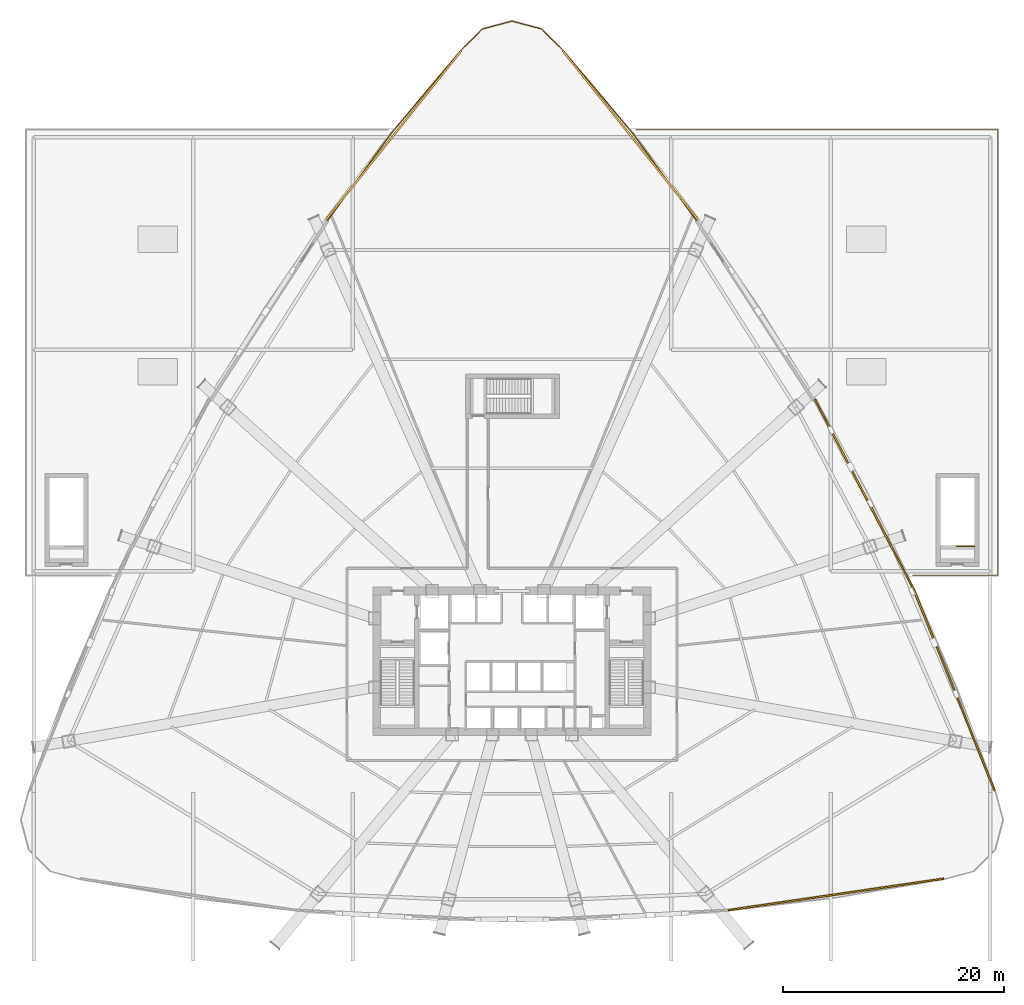
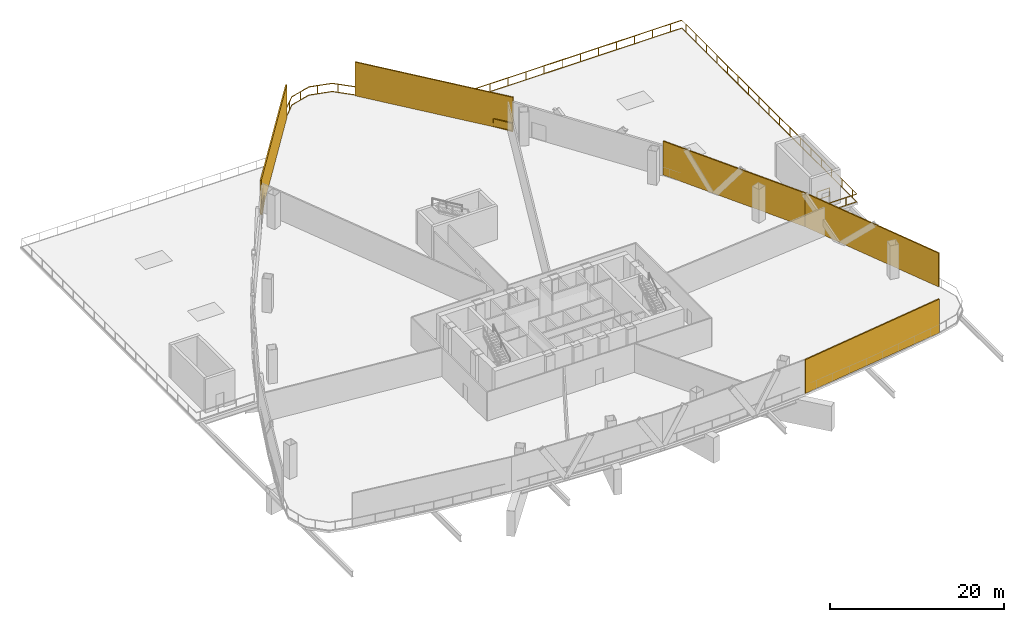
# One storey, part 18 of 18: 5 shading devices, 3 railings.
"""IFC4 building model written with IfcOpenShell, lengths in metres."""

from ifc_helpers import new_model, si_unit, direction, frame, origin, origin_2d, place, context, subcontext, project, spatial, rectangle, extrude, source, transform, mapped, material, layer, layer_set, type_object, element, save


model = new_model("IFC4")

# Units and contexts
model_context = context("Model", 3, precision=1e-05, world=origin(), true_north=direction((0.0, 1.0)))
body_context = subcontext(model_context, "Body", "Model", "MODEL_VIEW")
ifc_project = project(units=[si_unit("LENGTHUNIT", "METRE"), si_unit("AREAUNIT", "SQUARE_METRE"), si_unit("VOLUMEUNIT", "CUBIC_METRE"), si_unit("PLANEANGLEUNIT", "RADIAN"), si_unit("MASSUNIT", "GRAM", prefix="KILO"), si_unit("THERMODYNAMICTEMPERATUREUNIT", "KELVIN"), si_unit("POWERUNIT", "WATT")], contexts=[model_context])

# Site, building, storey
site_placement = place(None, origin())
site = spatial("IfcSite", under=ifc_project, at=site_placement, CompositionType="ELEMENT")
building_placement = place(site_placement, origin())
building = spatial("IfcBuilding", under=site, at=building_placement, Name="Yunzhuo Pagoda Commons", CompositionType="ELEMENT")
storey_placement = place(building_placement, frame((0.0, 0.0, 25.39990234375)))
storey = spatial("IfcBuildingStorey", under=building, at=storey_placement, Name="L06", CompositionType="ELEMENT", Elevation=25.39990234375)

# Railings
ifc_material = material(Name="Anodized aluminium 6063-T6", Category="aluminium")
railing_type_1 = type_object("IfcRailingType", Name="GR-PS4 Podium Well Guardrail 1165", PredefinedType="GUARDRAIL", material=ifc_material)
railing_1_placement = place(storey_placement, frame((89.800048828125, 44.25, 0.0)))
element("IfcRailing", 1, at=railing_1_placement, inside=storey, type_object=railing_type_1, Name="L06 PS4 top well guard 1", PredefinedType="GUARDRAIL", context=body_context, shape_type="SweptSolid", body=[
    extrude(rectangle(XDim=0.048095703125, YDim=0.048095703125, at=origin_2d()), frame((0.0, 0.0, 1.1259765625), z_axis=(-1.0, 0.0, 0.0), x_axis=(0.0, -1.0, 0.0)), (0.0, 0.0, 1.0), 1.650146484375),
    extrude(rectangle(XDim=0.048095703125, YDim=0.048095703125, at=origin_2d()), frame((0.0, 0.0, 0.02392578125), z_axis=(-1.0, 0.0, 0.0), x_axis=(0.0, -1.0, 0.0)), (0.0, 0.0, 1.0), 1.650146484375),
    extrude(rectangle(XDim=0.0419921875, YDim=0.0419921875, at=origin_2d()), origin(), (0.0, 0.0, 1.0), 1.101806640625),
    extrude(rectangle(XDim=0.0419921875, YDim=0.0419921875, at=origin_2d()), frame((-1.650146484375, 0.0, 0.0)), (0.0, 0.0, 1.0), 1.101806640625),
])
railing_type_2 = type_object("IfcRailingType", Name="RL-BAL1 Exterior Terrace & Balcony Balustrade 1150", PredefinedType="BALUSTRADE", material=ifc_material)
railing_2_placement = place(storey_placement, frame((59.19189453125, 81.8798828125, 0.0)))
element("IfcRailing", 2, at=railing_2_placement, inside=storey, type_object=railing_type_2, Name="L06 podium roof garden 1 balustrade 1", PredefinedType="BALUSTRADE", context=body_context, shape_type="SweptSolid", body=[
    extrude(rectangle(XDim=0.048095703125, YDim=0.048095703125, at=origin_2d()), frame((0.0, 0.0, 1.1259765625), z_axis=(1.0, 0.0, 0.0), x_axis=(0.0, 1.0, 0.0)), (0.0, 0.0, 1.0), 32.68798828125),
    extrude(rectangle(XDim=0.048095703125, YDim=0.048095703125, at=origin_2d()), frame((0.0, 0.0, 0.02392578125), z_axis=(1.0, 0.0, 0.0), x_axis=(0.0, 1.0, 0.0)), (0.0, 0.0, 1.0), 32.68798828125),
    extrude(rectangle(XDim=0.048095703125, YDim=0.048095703125, at=origin_2d()), frame((32.68798828125, 0.0, 1.1259765625), z_axis=(0.0, -1.0, 0.0), x_axis=(1.0, 0.0, 0.0)), (0.0, 0.0, 1.0), 40.259765625),
    extrude(rectangle(XDim=0.048095703125, YDim=0.048095703125, at=origin_2d()), frame((32.68798828125, 0.0, 0.02392578125), z_axis=(0.0, -1.0, 0.0), x_axis=(1.0, 0.0, 0.0)), (0.0, 0.0, 1.0), 40.259765625),
    extrude(rectangle(XDim=0.048095703125, YDim=0.048095703125, at=origin_2d()), frame((32.68798828125, -40.259765625, 1.1259765625), z_axis=(-1.0, 0.0, 0.0), x_axis=(0.0, -1.0, 0.0)), (0.0, 0.0, 1.0), 7.6875),
    extrude(rectangle(XDim=0.048095703125, YDim=0.048095703125, at=origin_2d()), frame((32.68798828125, -40.259765625, 0.02392578125), z_axis=(-1.0, 0.0, 0.0), x_axis=(0.0, -1.0, 0.0)), (0.0, 0.0, 1.0), 7.6875),
    extrude(rectangle(XDim=0.0419921875, YDim=0.0419921875, at=origin_2d()), origin(), (0.0, 0.0, 1.0), 1.101806640625),
    extrude(rectangle(XDim=0.0419921875, YDim=0.0419921875, at=origin_2d()), frame((2.39990234375, 0.0, 0.0)), (0.0, 0.0, 1.0), 1.101806640625),
    extrude(rectangle(XDim=0.0419921875, YDim=0.0419921875, at=origin_2d()), frame((4.800048828125, 0.0, 0.0)), (0.0, 0.0, 1.0), 1.101806640625),
    extrude(rectangle(XDim=0.0419921875, YDim=0.0419921875, at=origin_2d()), frame((7.199951171875, 0.0, 0.0)), (0.0, 0.0, 1.0), 1.101806640625),
    extrude(rectangle(XDim=0.0419921875, YDim=0.0419921875, at=origin_2d()), frame((9.60009765625, 0.0, 0.0)), (0.0, 0.0, 1.0), 1.101806640625),
    extrude(rectangle(XDim=0.0419921875, YDim=0.0419921875, at=origin_2d()), frame((12.0, 0.0, 0.0)), (0.0, 0.0, 1.0), 1.101806640625),
    extrude(rectangle(XDim=0.0419921875, YDim=0.0419921875, at=origin_2d()), frame((14.39990234375, 0.0, 0.0)), (0.0, 0.0, 1.0), 1.101806640625),
    extrude(rectangle(XDim=0.0419921875, YDim=0.0419921875, at=origin_2d()), frame((16.800048828125, 0.0, 0.0)), (0.0, 0.0, 1.0), 1.101806640625),
    extrude(rectangle(XDim=0.0419921875, YDim=0.0419921875, at=origin_2d()), frame((19.199951171875, 0.0, 0.0)), (0.0, 0.0, 1.0), 1.101806640625),
    extrude(rectangle(XDim=0.0419921875, YDim=0.0419921875, at=origin_2d()), frame((21.60009765625, 0.0, 0.0)), (0.0, 0.0, 1.0), 1.101806640625),
    extrude(rectangle(XDim=0.0419921875, YDim=0.0419921875, at=origin_2d()), frame((24.0, 0.0, 0.0)), (0.0, 0.0, 1.0), 1.101806640625),
    extrude(rectangle(XDim=0.0419921875, YDim=0.0419921875, at=origin_2d()), frame((26.39990234375, 0.0, 0.0)), (0.0, 0.0, 1.0), 1.101806640625),
    extrude(rectangle(XDim=0.0419921875, YDim=0.0419921875, at=origin_2d()), frame((28.800048828125, 0.0, 0.0)), (0.0, 0.0, 1.0), 1.101806640625),
    extrude(rectangle(XDim=0.0419921875, YDim=0.0419921875, at=origin_2d()), frame((31.199951171875, 0.0, 0.0)), (0.0, 0.0, 1.0), 1.101806640625),
    extrude(rectangle(XDim=0.0419921875, YDim=0.0419921875, at=origin_2d()), frame((32.68798828125, -0.912109375, 0.0)), (0.0, 0.0, 1.0), 1.101806640625),
    extrude(rectangle(XDim=0.0419921875, YDim=0.0419921875, at=origin_2d()), frame((32.68798828125, -3.31201171875, 0.0)), (0.0, 0.0, 1.0), 1.101806640625),
    extrude(rectangle(XDim=0.0419921875, YDim=0.0419921875, at=origin_2d()), frame((32.68798828125, -5.7119140625, 0.0)), (0.0, 0.0, 1.0), 1.101806640625),
    extrude(rectangle(XDim=0.0419921875, YDim=0.0419921875, at=origin_2d()), frame((32.68798828125, -8.112060546875, 0.0)), (0.0, 0.0, 1.0), 1.101806640625),
    extrude(rectangle(XDim=0.0419921875, YDim=0.0419921875, at=origin_2d()), frame((32.68798828125, -10.511962890625, 0.0)), (0.0, 0.0, 1.0), 1.101806640625),
    extrude(rectangle(XDim=0.0419921875, YDim=0.0419921875, at=origin_2d()), frame((32.68798828125, -12.912109375, 0.0)), (0.0, 0.0, 1.0), 1.101806640625),
    extrude(rectangle(XDim=0.0419921875, YDim=0.0419921875, at=origin_2d()), frame((32.68798828125, -15.31201171875, 0.0)), (0.0, 0.0, 1.0), 1.101806640625),
    extrude(rectangle(XDim=0.0419921875, YDim=0.0419921875, at=origin_2d()), frame((32.68798828125, -17.7119140625, 0.0)), (0.0, 0.0, 1.0), 1.101806640625),
    extrude(rectangle(XDim=0.0419921875, YDim=0.0419921875, at=origin_2d()), frame((32.68798828125, -20.112060546875, 0.0)), (0.0, 0.0, 1.0), 1.101806640625),
    extrude(rectangle(XDim=0.0419921875, YDim=0.0419921875, at=origin_2d()), frame((32.68798828125, -22.511962890625, 0.0)), (0.0, 0.0, 1.0), 1.101806640625),
    extrude(rectangle(XDim=0.0419921875, YDim=0.0419921875, at=origin_2d()), frame((32.68798828125, -24.912109375, 0.0)), (0.0, 0.0, 1.0), 1.101806640625),
    extrude(rectangle(XDim=0.0419921875, YDim=0.0419921875, at=origin_2d()), frame((32.68798828125, -27.31201171875, 0.0)), (0.0, 0.0, 1.0), 1.101806640625),
    extrude(rectangle(XDim=0.0419921875, YDim=0.0419921875, at=origin_2d()), frame((32.68798828125, -29.7119140625, 0.0)), (0.0, 0.0, 1.0), 1.101806640625),
    extrude(rectangle(XDim=0.0419921875, YDim=0.0419921875, at=origin_2d()), frame((32.68798828125, -32.112060546875, 0.0)), (0.0, 0.0, 1.0), 1.101806640625),
    extrude(rectangle(XDim=0.0419921875, YDim=0.0419921875, at=origin_2d()), frame((32.68798828125, -34.511962890625, 0.0)), (0.0, 0.0, 1.0), 1.101806640625),
    extrude(rectangle(XDim=0.0419921875, YDim=0.0419921875, at=origin_2d()), frame((32.68798828125, -36.912109375, 0.0)), (0.0, 0.0, 1.0), 1.101806640625),
    extrude(rectangle(XDim=0.0419921875, YDim=0.0419921875, at=origin_2d()), frame((32.68798828125, -39.31201171875, 0.0)), (0.0, 0.0, 1.0), 1.101806640625),
    extrude(rectangle(XDim=0.0419921875, YDim=0.0419921875, at=origin_2d()), frame((31.23583984375, -40.259765625, 0.0)), (0.0, 0.0, 1.0), 1.101806640625),
    extrude(rectangle(XDim=0.0419921875, YDim=0.0419921875, at=origin_2d()), frame((28.835693359375, -40.259765625, 0.0)), (0.0, 0.0, 1.0), 1.101806640625),
    extrude(rectangle(XDim=0.0419921875, YDim=0.0419921875, at=origin_2d()), frame((26.435791015625, -40.259765625, 0.0)), (0.0, 0.0, 1.0), 1.101806640625),
    extrude(rectangle(XDim=0.0419921875, YDim=0.0419921875, at=origin_2d()), frame((25.00048828125, -40.259765625, 0.0)), (0.0, 0.0, 1.0), 1.101806640625),
])
railing_type_3 = type_object("IfcRailingType", Name="RL-PRT1 Wind Portal & Refuge Guardrail 1200", PredefinedType="GUARDRAIL", material=ifc_material)
railing_3_placement = place(storey_placement, frame((64.651611328125, 73.672607421875, 0.0)))
element("IfcRailing", 3, at=railing_3_placement, inside=storey, type_object=railing_type_3, Name="L06 refuge north apex guardrail", PredefinedType="GUARDRAIL", context=body_context, shape_type="SweptSolid", body=[
    extrude(rectangle(XDim=0.048095703125, YDim=0.048095703125, at=origin_2d()), frame((0.0, 0.0, 1.17578125), z_axis=(-0.58872090766, 0.8083363736, 0.0), x_axis=(-0.8083363736, -0.58872090766, 0.0)), (0.0, 0.0, 1.0), 9.671630859375),
    extrude(rectangle(XDim=0.048095703125, YDim=0.048095703125, at=origin_2d()), frame((0.0, 0.0, 0.02392578125), z_axis=(-0.58872090766, 0.8083363736, 0.0), x_axis=(-0.8083363736, -0.58872090766, 0.0)), (0.0, 0.0, 1.0), 9.671630859375),
    extrude(rectangle(XDim=0.048095703125, YDim=0.048095703125, at=origin_2d()), frame((-5.69384765625, 7.81787109375, 1.17578125), z_axis=(-0.642298879891, 0.76645427058, 0.0), x_axis=(-0.76645427058, -0.642298879891, 0.0)), (0.0, 0.0, 1.0), 9.8125),
    extrude(rectangle(XDim=0.048095703125, YDim=0.048095703125, at=origin_2d()), frame((-5.69384765625, 7.81787109375, 0.02392578125), z_axis=(-0.642298879891, 0.76645427058, 0.0), x_axis=(-0.76645427058, -0.642298879891, 0.0)), (0.0, 0.0, 1.0), 9.8125),
    extrude(rectangle(XDim=0.048095703125, YDim=0.048095703125, at=origin_2d()), frame((-11.996337890625, 15.338623046875, 1.17578125), z_axis=(-0.709080029698, 0.705128010707, 0.0), x_axis=(-0.705128010707, -0.709080029698, 0.0)), (0.0, 0.0, 1.0), 2.780029296875),
    extrude(rectangle(XDim=0.048095703125, YDim=0.048095703125, at=origin_2d()), frame((-11.996337890625, 15.338623046875, 0.02392578125), z_axis=(-0.709080029698, 0.705128010707, 0.0), x_axis=(-0.705128010707, -0.709080029698, 0.0)), (0.0, 0.0, 1.0), 2.780029296875),
    extrude(rectangle(XDim=0.048095703125, YDim=0.048095703125, at=origin_2d()), frame((-13.967529296875, 17.298828125, 1.17578125), z_axis=(-0.966119618387, 0.258094717046, 0.0), x_axis=(-0.258094717046, -0.966119618387, 0.0)), (0.0, 0.0, 1.0), 2.7783203125),
    extrude(rectangle(XDim=0.048095703125, YDim=0.048095703125, at=origin_2d()), frame((-13.967529296875, 17.298828125, 0.02392578125), z_axis=(-0.966119618387, 0.258094717046, 0.0), x_axis=(-0.258094717046, -0.966119618387, 0.0)), (0.0, 0.0, 1.0), 2.7783203125),
    extrude(rectangle(XDim=0.048095703125, YDim=0.048095703125, at=origin_2d()), frame((-16.651611328125, 18.015869140625, 1.17578125), z_axis=(-0.966119618387, -0.258094717046, 0.0), x_axis=(0.258094717046, -0.966119618387, 0.0)), (0.0, 0.0, 1.0), 2.7783203125),
    extrude(rectangle(XDim=0.048095703125, YDim=0.048095703125, at=origin_2d()), frame((-16.651611328125, 18.015869140625, 0.02392578125), z_axis=(-0.966119618387, -0.258094717046, 0.0), x_axis=(0.258094717046, -0.966119618387, 0.0)), (0.0, 0.0, 1.0), 2.7783203125),
    extrude(rectangle(XDim=0.048095703125, YDim=0.048095703125, at=origin_2d()), frame((-19.335693359375, 17.298828125, 1.17578125), z_axis=(-0.709080029698, -0.705128010707, 0.0), x_axis=(0.705128010707, -0.709080029698, 0.0)), (0.0, 0.0, 1.0), 2.780029296875),
    extrude(rectangle(XDim=0.048095703125, YDim=0.048095703125, at=origin_2d()), frame((-19.335693359375, 17.298828125, 0.02392578125), z_axis=(-0.709080029698, -0.705128010707, 0.0), x_axis=(0.705128010707, -0.709080029698, 0.0)), (0.0, 0.0, 1.0), 2.780029296875),
    extrude(rectangle(XDim=0.048095703125, YDim=0.048095703125, at=origin_2d()), frame((-21.306884765625, 15.338623046875, 1.17578125), z_axis=(-0.642298879891, -0.76645427058, 0.0), x_axis=(0.76645427058, -0.642298879891, 0.0)), (0.0, 0.0, 1.0), 9.8125),
    extrude(rectangle(XDim=0.048095703125, YDim=0.048095703125, at=origin_2d()), frame((-21.306884765625, 15.338623046875, 0.02392578125), z_axis=(-0.642298879891, -0.76645427058, 0.0), x_axis=(0.76645427058, -0.642298879891, 0.0)), (0.0, 0.0, 1.0), 9.8125),
    extrude(rectangle(XDim=0.048095703125, YDim=0.048095703125, at=origin_2d()), frame((-27.609375, 7.81787109375, 1.17578125), z_axis=(-0.58872090766, -0.8083363736, 0.0), x_axis=(0.8083363736, -0.58872090766, 0.0)), (0.0, 0.0, 1.0), 9.671630859375),
    extrude(rectangle(XDim=0.048095703125, YDim=0.048095703125, at=origin_2d()), frame((-27.609375, 7.81787109375, 0.02392578125), z_axis=(-0.58872090766, -0.8083363736, 0.0), x_axis=(0.8083363736, -0.58872090766, 0.0)), (0.0, 0.0, 1.0), 9.671630859375),
    extrude(rectangle(XDim=0.0419921875, YDim=0.0419921875, at=origin_2d()), origin(), (0.0, 0.0, 1.0), 1.15185546875),
    extrude(rectangle(XDim=0.0419921875, YDim=0.0419921875, at=origin_2d()), frame((-1.412841796875, 1.93994140625, 0.0)), (0.0, 0.0, 1.0), 1.15185546875),
    extrude(rectangle(XDim=0.0419921875, YDim=0.0419921875, at=origin_2d()), frame((-2.825927734375, 3.880126953125, 0.0)), (0.0, 0.0, 1.0), 1.15185546875),
    extrude(rectangle(XDim=0.0419921875, YDim=0.0419921875, at=origin_2d()), frame((-4.23876953125, 5.820068359375, 0.0)), (0.0, 0.0, 1.0), 1.15185546875),
    extrude(rectangle(XDim=0.0419921875, YDim=0.0419921875, at=origin_2d()), frame((-7.189453125, 9.6025390625, 0.0)), (0.0, 0.0, 1.0), 1.15185546875),
    extrude(rectangle(XDim=0.0419921875, YDim=0.0419921875, at=origin_2d()), frame((-8.73095703125, 11.44189453125, 0.0)), (0.0, 0.0, 1.0), 1.15185546875),
    extrude(rectangle(XDim=0.0419921875, YDim=0.0419921875, at=origin_2d()), frame((-10.2724609375, 13.281494140625, 0.0)), (0.0, 0.0, 1.0), 1.15185546875),
    extrude(rectangle(XDim=0.0419921875, YDim=0.0419921875, at=origin_2d()), frame((-11.81396484375, 15.12109375, 0.0)), (0.0, 0.0, 1.0), 1.15185546875),
    extrude(rectangle(XDim=0.0419921875, YDim=0.0419921875, at=origin_2d()), frame((-13.496826171875, 16.830810546875, 0.0)), (0.0, 0.0, 1.0), 1.15185546875),
    extrude(rectangle(XDim=0.0419921875, YDim=0.0419921875, at=origin_2d()), frame((-15.644775390625, 17.746826171875, 0.0)), (0.0, 0.0, 1.0), 1.15185546875),
    extrude(rectangle(XDim=0.0419921875, YDim=0.0419921875, at=origin_2d()), frame((-17.963623046875, 17.665283203125, 0.0)), (0.0, 0.0, 1.0), 1.15185546875),
    extrude(rectangle(XDim=0.0419921875, YDim=0.0419921875, at=origin_2d()), frame((-20.0302734375, 16.60791015625, 0.0)), (0.0, 0.0, 1.0), 1.15185546875),
    extrude(rectangle(XDim=0.0419921875, YDim=0.0419921875, at=origin_2d()), frame((-21.692138671875, 14.87890625, 0.0)), (0.0, 0.0, 1.0), 1.15185546875),
    extrude(rectangle(XDim=0.0419921875, YDim=0.0419921875, at=origin_2d()), frame((-23.233642578125, 13.03955078125, 0.0)), (0.0, 0.0, 1.0), 1.15185546875),
    extrude(rectangle(XDim=0.0419921875, YDim=0.0419921875, at=origin_2d()), frame((-24.775146484375, 11.199951171875, 0.0)), (0.0, 0.0, 1.0), 1.15185546875),
    extrude(rectangle(XDim=0.0419921875, YDim=0.0419921875, at=origin_2d()), frame((-26.316650390625, 9.3603515625, 0.0)), (0.0, 0.0, 1.0), 1.15185546875),
    extrude(rectangle(XDim=0.0419921875, YDim=0.0419921875, at=origin_2d()), frame((-27.83740234375, 7.504638671875, 0.0)), (0.0, 0.0, 1.0), 1.15185546875),
    extrude(rectangle(XDim=0.0419921875, YDim=0.0419921875, at=origin_2d()), frame((-29.250244140625, 5.564697265625, 0.0)), (0.0, 0.0, 1.0), 1.15185546875),
    extrude(rectangle(XDim=0.0419921875, YDim=0.0419921875, at=origin_2d()), frame((-30.663330078125, 3.624755859375, 0.0)), (0.0, 0.0, 1.0), 1.15185546875),
    extrude(rectangle(XDim=0.0419921875, YDim=0.0419921875, at=origin_2d()), frame((-32.076171875, 1.684814453125, 0.0)), (0.0, 0.0, 1.0), 1.15185546875),
    extrude(rectangle(XDim=0.0419921875, YDim=0.0419921875, at=origin_2d()), frame((-33.30322265625, 0.0, 0.0)), (0.0, 0.0, 1.0), 1.15185546875),
])

# Shading devices
ifc_layer = layer(ifc_material, 0.159912109375)
ifc_layer_set = layer_set([ifc_layer], Name="Anodized aluminium 6063-T6")
shading_device_type = type_object("IfcShadingDeviceType", Name="SH-SCR1 Stormproof Refuge Louvre Screen", PredefinedType="JALOUSIE", material=ifc_layer_set)
shared_shape_1 = source(origin(), body_context, "Body", "SweptSolid", [
    extrude(rectangle(XDim=19.689453125, YDim=0.159912109375, at=origin_2d()), origin(), (0.0, 0.0, 1.0), 4.739990234375),
])
shading_device_1_placement = place(storey_placement, frame((77.2666015625, 12.793701171875, 0.0), z_axis=(0.0, 0.0, 1.0), x_axis=(0.989510666697, 0.144459823108, 0.0)))
element("IfcShadingDevice", 4, at=shading_device_1_placement, inside=storey, type_object=shading_device_type, Name="L06 stormproof refuge louvre screen F1.4", PredefinedType="JALOUSIE", context=body_context, shape_type="MappedRepresentation", body=[
    mapped(shared_shape_1, transform((0.0, 0.0, 0.0), scale=1.0)),
])
shared_shape_2 = source(origin(), body_context, "Body", "SweptSolid", [
    extrude(rectangle(XDim=19.53125, YDim=0.159912109375, at=origin_2d()), origin(), (0.0, 0.0, 1.0), 4.739990234375),
])
for number, where, z_axis, x_axis, name in (
    (5, (87.947509765625, 31.257080078125, 0.0), (0.0, 0.0, 1.0), (-0.372987782576, 0.927836253899, 0.0), "L06 stormproof refuge louvre screen F2.1"),
    (6, (58.68115234375, 81.393310546875, 0.0), (0.0, 0.0, 1.0), (-0.624520471688, 0.781008438138, 0.0), "L06 stormproof refuge louvre screen F2.4"),
    (7, (37.31884765625, 81.393310546875, 0.0), (0.0, 0.0, 1.0), (-0.624520471688, -0.781008438138, 0.0), "L06 stormproof refuge louvre screen F3.1"),
):
    element("IfcShadingDevice", number, at=place(storey_placement, frame(where, z_axis=z_axis, x_axis=x_axis)), inside=storey, type_object=shading_device_type, Name=name, PredefinedType="JALOUSIE", context=body_context, shape_type="MappedRepresentation", body=[
        mapped(shared_shape_2, transform((0.0, 0.0, 0.0), scale=1.0)),
    ])
shared_shape_3 = source(origin(), body_context, "Body", "SweptSolid", [
    extrude(rectangle(XDim=19.345947265625, YDim=0.159912109375, at=origin_2d()), origin(), (0.0, 0.0, 1.0), 4.739990234375),
])
shading_device_2_placement = place(storey_placement, frame((79.831787109375, 48.926513671875, 0.0), z_axis=(0.0, 0.0, 1.0), x_axis=(-0.461206683033, 0.88729273384, 0.0)))
element("IfcShadingDevice", 8, at=shading_device_2_placement, inside=storey, type_object=shading_device_type, Name="L06 stormproof refuge louvre screen F2.2", PredefinedType="JALOUSIE", context=body_context, shape_type="MappedRepresentation", body=[
    mapped(shared_shape_3, transform((0.0, 0.0, 0.0), scale=1.0)),
])

save(model, "model.ifc")
